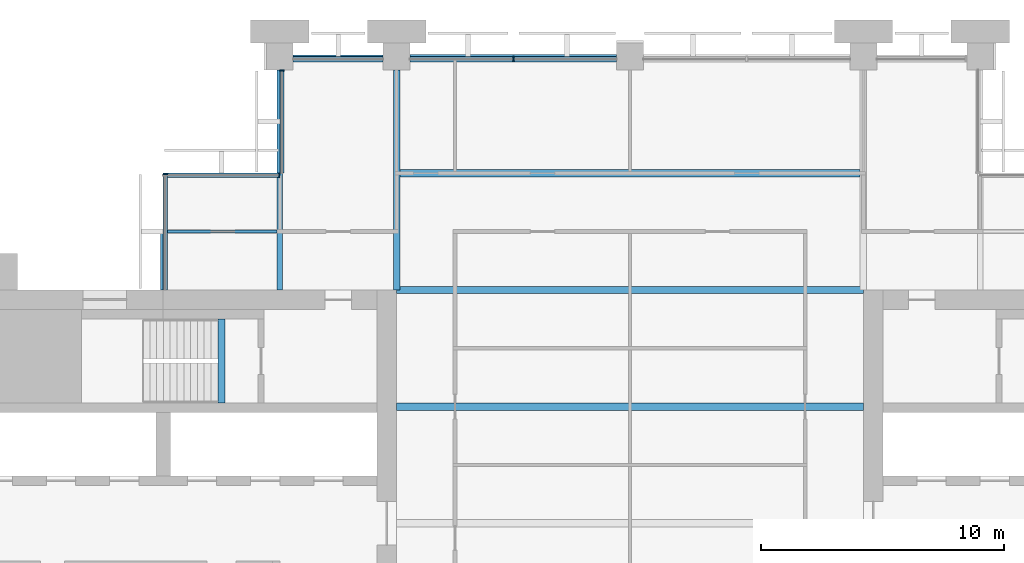
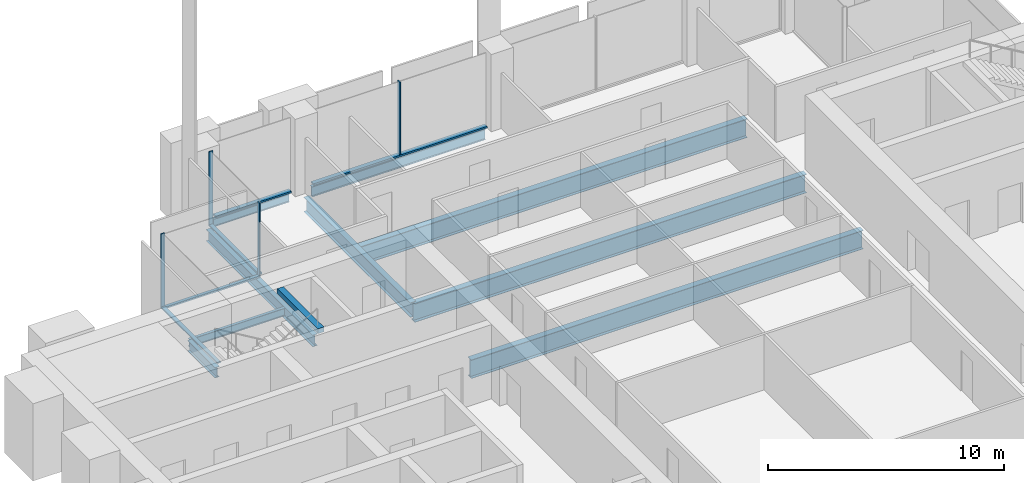
# One storey, part 5 of 13: 10 beams, 9 members, 4 elements without a shape of their own.
"""IFC4 building model written with IfcOpenShell, lengths in metres."""

from ifc_helpers import new_model, si_unit, direction, frame, origin, origin_2d, place, context, subcontext, project, spatial, rectangle, i_section, extrude, material, material_profile, profile_set, type_object, element, aggregate, save


model = new_model("IFC4")

# Units and contexts
model_context = context("Model", 3, precision=1e-05, world=origin(), true_north=direction((0.0, 1.0)))
body_context = subcontext(model_context, "Body", "Model", "MODEL_VIEW")
ifc_project = project(units=[si_unit("LENGTHUNIT", "METRE"), si_unit("AREAUNIT", "SQUARE_METRE"), si_unit("VOLUMEUNIT", "CUBIC_METRE"), si_unit("PLANEANGLEUNIT", "RADIAN"), si_unit("MASSUNIT", "GRAM", prefix="KILO")], contexts=[model_context])

# Site, building, storey
site_placement = place(None, origin())
site = spatial("IfcSite", under=ifc_project, at=site_placement, CompositionType="ELEMENT")
building_placement = place(site_placement, origin())
building = spatial("IfcBuilding", under=site, at=building_placement, Name="Baori Bourse Tower", CompositionType="ELEMENT")
storey_placement = place(building_placement, frame((0.0, 0.0, 201.199951171875)))
storey = spatial("IfcBuildingStorey", under=building, at=storey_placement, Name="L43", CompositionType="ELEMENT", Elevation=201.199951171875)

# Curtain wall, member
ifc_material_1 = material(Name="Pale anodised aluminium", Category="aluminium")
curtain_wall_type_1 = type_object("IfcCurtainWallType", Name="CW2 Curtain wall", PredefinedType="NOTDEFINED", material=ifc_material_1)
curtain_wall_1_placement = place(storey_placement, origin())
curtain_wall_1 = element("IfcCurtainWall", 1, at=curtain_wall_1_placement, inside=storey, type_object=curtain_wall_type_1, Name="Curtain wall CW2 L43 5", PredefinedType="NOTDEFINED")
ifc_material_2 = material(Name="Pale anodised aluminium", Category="aluminium")
ifc_material_profile_1 = material_profile(ifc_material_2, rectangle(XDim=0.179931640625, YDim=0.054931640625, at=origin_2d()), Name="Mullion 55x180")
ifc_profile_set_1 = profile_set([ifc_material_profile_1], Name="Pale anodised aluminium")
member_type_1 = type_object("IfcMemberType", Name="CW2 Curtain wall mullion", PredefinedType="MULLION", material=ifc_profile_set_1)
member_1_placement = place(storey_placement, frame((14.489990234375, 47.422607421875, 0.070068359375), z_axis=(0.0, 0.0, 1.0), x_axis=(1.0, 0.0, 0.0)))
member_1 = element("IfcMember", 2, at=member_1_placement, type_object=member_type_1, Name="Curtain wall CW2 mullion", PredefinedType="MULLION", context=body_context, shape_type="SweptSolid", body=[
    extrude(rectangle(XDim=0.179931640625, YDim=0.054931640625, at=origin_2d()), origin(), (0.0, 0.0, 1.0), 3.77001953125),
])

curtain_wall_2_placement = place(storey_placement, origin())
curtain_wall_2 = element("IfcCurtainWall", 3, at=curtain_wall_2_placement, inside=storey, type_object=curtain_wall_type_1, Name="Curtain wall CW2 L43 6", PredefinedType="NOTDEFINED")
member_2_placement = place(storey_placement, frame((14.37255859375, 43.110107421875, 0.070068359375), z_axis=(0.0, 0.0, 1.0), x_axis=(0.0, -1.0, 0.0)))
member_2 = element("IfcMember", 4, at=member_2_placement, type_object=member_type_1, Name="Curtain wall CW2 mullion", PredefinedType="MULLION", context=body_context, shape_type="SweptSolid", body=[
    extrude(rectangle(XDim=0.179931640625, YDim=0.054931640625, at=origin_2d()), origin(), (0.0, 0.0, 1.0), 3.77001953125),
])

curtain_wall_3_placement = place(storey_placement, origin())
curtain_wall_3 = element("IfcCurtainWall", 5, at=curtain_wall_3_placement, inside=storey, type_object=curtain_wall_type_1, Name="Curtain wall CW2 L43 7", PredefinedType="NOTDEFINED")
member_3_placement = place(storey_placement, frame((9.68994140625, 43.172607421875, 0.070068359375), z_axis=(0.0, 0.0, 1.0), x_axis=(1.0, 0.0, 0.0)))
member_3 = element("IfcMember", 6, at=member_3_placement, type_object=member_type_1, Name="Curtain wall CW2 mullion", PredefinedType="MULLION", context=body_context, shape_type="SweptSolid", body=[
    extrude(rectangle(XDim=0.179931640625, YDim=0.054931640625, at=origin_2d()), origin(), (0.0, 0.0, 1.0), 3.77001953125),
])

# Member
ifc_material_3 = material(Name="Pale anodised aluminium", Category="aluminium")
ifc_material_profile_2 = material_profile(ifc_material_3, rectangle(XDim=0.179931640625, YDim=0.070068359375, at=origin_2d()), Name="Transom 70x180")
ifc_profile_set_2 = profile_set([ifc_material_profile_2], Name="Pale anodised aluminium")
member_type_2 = type_object("IfcMemberType", Name="CW2 Curtain wall transom", PredefinedType="USERDEFINED", material=ifc_profile_set_2)
member_4_placement = place(storey_placement, frame((14.489990234375, 47.449951171875, 0.03515625), z_axis=(0.0, -1.0, 0.0), x_axis=(1.0, 0.0, 0.0)))
member_4 = element("IfcMember", 7, at=member_4_placement, type_object=member_type_2, Name="Curtain wall CW2 sill rail", ObjectType="TRANSOM", PredefinedType="USERDEFINED", context=body_context, shape_type="SweptSolid", body=[
    extrude(rectangle(XDim=0.179931640625, YDim=0.070068359375, at=origin_2d()), origin(), (0.0, 0.0, 1.0), 4.25),
])

aggregate(curtain_wall_1, [member_4, member_1])

member_5_placement = place(storey_placement, frame((14.39990234375, 43.110107421875, 0.03515625), z_axis=(-1.0, 0.0, 0.0), x_axis=(0.0, -1.0, 0.0)))
member_5 = element("IfcMember", 8, at=member_5_placement, type_object=member_type_2, Name="Curtain wall CW2 sill rail", ObjectType="TRANSOM", PredefinedType="USERDEFINED", context=body_context, shape_type="SweptSolid", body=[
    extrude(rectangle(XDim=0.179931640625, YDim=0.070068359375, at=origin_2d()), origin(), (0.0, 0.0, 1.0), 4.7998046875),
])

aggregate(curtain_wall_2, [member_5, member_2])

member_6_placement = place(storey_placement, frame((9.68994140625, 43.199951171875, 0.03515625), z_axis=(0.0, -1.0, 0.0), x_axis=(1.0, 0.0, 0.0)))
member_6 = element("IfcMember", 9, at=member_6_placement, type_object=member_type_2, Name="Curtain wall CW2 sill rail", ObjectType="TRANSOM", PredefinedType="USERDEFINED", context=body_context, shape_type="SweptSolid", body=[
    extrude(rectangle(XDim=0.179931640625, YDim=0.070068359375, at=origin_2d()), origin(), (0.0, 0.0, 1.0), 4.800048828125),
])

aggregate(curtain_wall_3, [member_6, member_3])

# Curtain wall, members
ifc_material_4 = material(Name="Pale anodised aluminium", Category="aluminium")
curtain_wall_type_2 = type_object("IfcCurtainWallType", Name="CW5 Curtain wall", PredefinedType="NOTDEFINED", material=ifc_material_4)
curtain_wall_4_placement = place(storey_placement, origin())
curtain_wall_4 = element("IfcCurtainWall", 10, at=curtain_wall_4_placement, inside=storey, type_object=curtain_wall_type_2, Name="Curtain wall CW5 L43 4", PredefinedType="NOTDEFINED")
ifc_material_5 = material(Name="Pale anodised aluminium", Category="aluminium")
ifc_material_profile_3 = material_profile(ifc_material_5, rectangle(XDim=0.219970703125, YDim=0.06494140625, at=origin_2d()), Name="Mullion 65x220")
ifc_profile_set_3 = profile_set([ifc_material_profile_3], Name="Pale anodised aluminium")
member_type_3 = type_object("IfcMemberType", Name="CW5 Curtain wall mullion", PredefinedType="MULLION", material=ifc_profile_set_3)
member_7_placement = place(storey_placement, frame((24.0, 47.889892578125, 0.0849609375), z_axis=(0.0, 0.0, 1.0), x_axis=(0.0, -1.0, 0.0)))
member_7 = element("IfcMember", 11, at=member_7_placement, type_object=member_type_3, Name="Curtain wall CW5 mullion", PredefinedType="MULLION", context=body_context, shape_type="SweptSolid", body=[
    extrude(rectangle(XDim=0.219970703125, YDim=0.06494140625, at=origin_2d()), origin(), (0.0, 0.0, 1.0), 3.755126953125),
])
ifc_material_6 = material(Name="Pale anodised aluminium", Category="aluminium")
ifc_material_profile_4 = material_profile(ifc_material_6, rectangle(XDim=0.219970703125, YDim=0.0849609375, at=origin_2d()), Name="Transom 85x220")
ifc_profile_set_4 = profile_set([ifc_material_profile_4], Name="Pale anodised aluminium")
member_type_4 = type_object("IfcMemberType", Name="CW5 Curtain wall transom", PredefinedType="USERDEFINED", material=ifc_profile_set_4)
member_8_placement = place(storey_placement, frame((28.25, 47.889892578125, 0.04248046875), z_axis=(-1.0, 0.0, 0.0), x_axis=(0.0, -1.0, 0.0)))
member_8 = element("IfcMember", 12, at=member_8_placement, type_object=member_type_4, Name="Curtain wall CW5 sill rail", ObjectType="TRANSOM", PredefinedType="USERDEFINED", context=body_context, shape_type="SweptSolid", body=[
    extrude(rectangle(XDim=0.219970703125, YDim=0.0849609375, at=origin_2d()), origin(), (0.0, 0.0, 1.0), 8.5),
])
member_9_placement = place(storey_placement, frame((18.64990234375, 47.889892578125, 0.04248046875), z_axis=(-1.0, 0.0, 0.0), x_axis=(0.0, -1.0, 0.0)))
member_9 = element("IfcMember", 13, at=member_9_placement, type_object=member_type_4, Name="Curtain wall CW5 sill rail", ObjectType="TRANSOM", PredefinedType="USERDEFINED", context=body_context, shape_type="SweptSolid", body=[
    extrude(rectangle(XDim=0.219970703125, YDim=0.0849609375, at=origin_2d()), origin(), (0.0, 0.0, 1.0), 3.699951171875),
])
aggregate(curtain_wall_4, [member_8, member_7, member_9])

# Beams
ifc_material_7 = material(Name="Steel A992 Gr 50", Category="steel")
ifc_material_profile_5 = material_profile(ifc_material_7, i_section(OverallWidth=0.21240234375, OverallDepth=0.54345703125, WebThickness=0.01318359375, FlangeThickness=0.021240234375, at=origin_2d()), Name="W21x83")
ifc_profile_set_5 = profile_set([ifc_material_profile_5], Name="Steel A992 Gr 50")
beam_type_1 = type_object("IfcBeamType", Name="Core bracket W21x83", PredefinedType="BEAM", material=ifc_profile_set_5)
beam_1_placement = place(storey_placement, frame((9.60009765625, 38.39990234375, -0.431640625), z_axis=(0.0, 1.0, 0.0), x_axis=(-1.0, 0.0, 0.0)))
element("IfcBeam", 14, at=beam_1_placement, inside=storey, type_object=beam_type_1, Name="Core bracket L43", PredefinedType="BEAM", context=body_context, shape_type="SweptSolid", body=[
    extrude(i_section(OverallWidth=0.21240234375, OverallDepth=0.54345703125, WebThickness=0.01318359375, FlangeThickness=0.021240234375, at=origin_2d()), origin(), (0.0, 0.0, 1.0), 2.329833984375),
])
ifc_material_8 = material(Name="Steel A992 Gr 50", Category="steel")
ifc_material_profile_6 = material_profile(ifc_material_8, i_section(OverallWidth=0.140380859375, OverallDepth=0.40380859375, WebThickness=0.007080078125, FlangeThickness=0.01123046875, at=origin_2d()), Name="W16x31")
ifc_profile_set_6 = profile_set([ifc_material_profile_6], Name="Steel A992 Gr 50")
beam_type_2 = type_object("IfcBeamType", Name="Edge beam W16x31", PredefinedType="BEAM", material=ifc_profile_set_6)
beam_2_placement = place(storey_placement, frame((14.949951171875, 48.0, -0.36181640625), z_axis=(1.0, 0.0, 0.0), x_axis=(0.0, 1.0, 0.0)))
element("IfcBeam", 15, at=beam_2_placement, inside=storey, type_object=beam_type_2, Name="Edge beam L43", PredefinedType="BEAM", context=body_context, shape_type="SweptSolid", body=[
    extrude(i_section(OverallWidth=0.140380859375, OverallDepth=0.40380859375, WebThickness=0.007080078125, FlangeThickness=0.01123046875, at=origin_2d()), origin(), (0.0, 0.0, 1.0), 3.699951171875),
])
ifc_material_9 = material(Name="Steel A992 Gr 50", Category="steel")
ifc_material_profile_7 = material_profile(ifc_material_9, i_section(OverallWidth=0.1650390625, OverallDepth=0.52587890625, WebThickness=0.0087890625, FlangeThickness=0.011474609375, at=origin_2d()), Name="W21x44")
ifc_profile_set_7 = profile_set([ifc_material_profile_7], Name="Steel A992 Gr 50")
beam_type_3 = type_object("IfcBeamType", Name="Edge beam W21x44", PredefinedType="BEAM", material=ifc_profile_set_7)
beam_3_placement = place(storey_placement, frame((19.75, 48.0, -0.4228515625), z_axis=(1.0, 0.0, 0.0), x_axis=(0.0, 1.0, 0.0)))
element("IfcBeam", 16, at=beam_3_placement, inside=storey, type_object=beam_type_3, Name="Edge beam L43", PredefinedType="BEAM", context=body_context, shape_type="SweptSolid", body=[
    extrude(i_section(OverallWidth=0.1650390625, OverallDepth=0.52587890625, WebThickness=0.0087890625, FlangeThickness=0.011474609375, at=origin_2d()), origin(), (0.0, 0.0, 1.0), 8.5),
])
ifc_material_10 = material(Name="Steel A992 Gr 50", Category="steel")
ifc_material_profile_8 = material_profile(ifc_material_10, i_section(OverallWidth=0.227783203125, OverallDepth=0.60205078125, WebThickness=0.010498046875, FlangeThickness=0.014892578125, at=origin_2d()), Name="W24x68")
ifc_profile_set_8 = profile_set([ifc_material_profile_8], Name="Steel A992 Gr 50")
beam_type_4 = type_object("IfcBeamType", Name="Floor beam W24x68", PredefinedType="BEAM", material=ifc_profile_set_8)
beam_4_placement = place(storey_placement, frame((14.39990234375, 38.39990234375, -0.4609375), z_axis=(0.0, 1.0, 0.0), x_axis=(-1.0, 0.0, 0.0)))
element("IfcBeam", 17, at=beam_4_placement, inside=storey, type_object=beam_type_4, Name="Floor beam L43", PredefinedType="BEAM", context=body_context, shape_type="SweptSolid", body=[
    extrude(i_section(OverallWidth=0.227783203125, OverallDepth=0.60205078125, WebThickness=0.010498046875, FlangeThickness=0.014892578125, at=origin_2d()), origin(), (0.0, 0.0, 1.0), 9.050048828125),
])
ifc_material_11 = material(Name="Steel A992 Gr 50", Category="steel")
ifc_material_profile_9 = material_profile(ifc_material_11, i_section(OverallWidth=0.2998046875, OverallDepth=0.97021484375, WebThickness=0.01611328125, FlangeThickness=0.02099609375, at=origin_2d()), Name="W40x149")
ifc_profile_set_9 = profile_set([ifc_material_profile_9], Name="Steel A992 Gr 50")
beam_type_5 = type_object("IfcBeamType", Name="Floor beam W40x149", PredefinedType="BEAM", material=ifc_profile_set_9)
for number, where, z_axis, x_axis, name in (
    (18, (19.199951171875, 33.60009765625, -0.64501953125), (1.0, 0.0, 0.0), (0.0, 1.0, 0.0), "Floor beam L43"),
    (19, (19.199951171875, 38.39990234375, -0.64501953125), (1.0, 0.0, 0.0), (0.0, 1.0, 0.0), "Floor beam L43"),
):
    element("IfcBeam", number, at=place(storey_placement, frame(where, z_axis=z_axis, x_axis=x_axis)), inside=storey, type_object=beam_type_5, Name=name, PredefinedType="BEAM", context=body_context, shape_type="SweptSolid", body=[
        extrude(i_section(OverallWidth=0.2998046875, OverallDepth=0.97021484375, WebThickness=0.01611328125, FlangeThickness=0.02099609375, at=origin_2d()), origin(), (0.0, 0.0, 1.0), 19.199951171875),
    ])
beam_5_placement = place(storey_placement, frame((19.333251953125, 43.199951171875, -0.64501953125), z_axis=(1.0, 0.0, 0.0), x_axis=(0.0, 1.0, 0.0)))
element("IfcBeam", 20, at=beam_5_placement, inside=storey, type_object=beam_type_5, Name="Floor beam L43", PredefinedType="BEAM", context=body_context, shape_type="SweptSolid", body=[
    extrude(i_section(OverallWidth=0.2998046875, OverallDepth=0.97021484375, WebThickness=0.01611328125, FlangeThickness=0.02099609375, at=origin_2d()), origin(), (0.0, 0.0, 1.0), 18.933349609375),
])
ifc_material_12 = material(Name="Steel A992 Gr 50", Category="steel")
ifc_material_profile_10 = material_profile(ifc_material_12, i_section(OverallWidth=0.2666015625, OverallDepth=0.7568359375, WebThickness=0.013916015625, FlangeThickness=0.019287109375, at=origin_2d()), Name="W30x108")
ifc_profile_set_10 = profile_set([ifc_material_profile_10], Name="Steel A992 Gr 50")
beam_type_6 = type_object("IfcBeamType", Name="Girder W30x108", PredefinedType="BEAM", material=ifc_profile_set_10)
beam_6_placement = place(storey_placement, frame((19.199951171875, 38.39990234375, -0.538330078125), z_axis=(0.0, 1.0, 0.0), x_axis=(-1.0, 0.0, 0.0)))
element("IfcBeam", 21, at=beam_6_placement, inside=storey, type_object=beam_type_6, Name="Girder L43", PredefinedType="BEAM", context=body_context, shape_type="SweptSolid", body=[
    extrude(i_section(OverallWidth=0.2666015625, OverallDepth=0.7568359375, WebThickness=0.013916015625, FlangeThickness=0.019287109375, at=origin_2d()), origin(), (0.0, 0.0, 1.0), 9.050048828125),
])
ifc_material_13 = material(Name="Concrete f'c 50 MPa", Category="concrete")
ifc_material_profile_11 = material_profile(ifc_material_13, rectangle(XDim=0.300048828125, YDim=0.25, at=origin_2d()), Name="RC 300x250")
ifc_profile_set_11 = profile_set([ifc_material_profile_11], Name="Concrete f'c 50 MPa")
beam_type_7 = type_object("IfcBeamType", Name="Stair nib beam RC 300x250", PredefinedType="BEAM", material=ifc_profile_set_11)
beam_7_placement = place(storey_placement, frame((12.0, 33.75, 3.715087890625), z_axis=(0.0, 1.0, 0.0), x_axis=(-1.0, 0.0, 0.0)))
element("IfcBeam", 22, at=beam_7_placement, inside=storey, type_object=beam_type_7, Name="Stair WB nib beam L44", PredefinedType="BEAM", context=body_context, shape_type="SweptSolid", body=[
    extrude(rectangle(XDim=0.300048828125, YDim=0.25, at=origin_2d()), origin(), (0.0, 0.0, 1.0), 3.449951171875),
])
ifc_material_14 = material(Name="Steel A992 Gr 50", Category="steel")
ifc_material_profile_12 = material_profile(ifc_material_14, i_section(OverallWidth=0.140380859375, OverallDepth=0.40380859375, WebThickness=0.007080078125, FlangeThickness=0.01123046875, at=origin_2d()), Name="W16x31")
ifc_profile_set_12 = profile_set([ifc_material_profile_12], Name="Steel A992 Gr 50")
beam_type_8 = type_object("IfcBeamType", Name="Trimmer beam W16x31", PredefinedType="BEAM", material=ifc_profile_set_12)
beam_8_placement = place(storey_placement, frame((9.60009765625, 40.800048828125, -0.36181640625), z_axis=(1.0, 0.0, 0.0), x_axis=(0.0, 1.0, 0.0)))
element("IfcBeam", 23, at=beam_8_placement, inside=storey, type_object=beam_type_8, Name="Trimmer beam L43", PredefinedType="BEAM", context=body_context, shape_type="SweptSolid", body=[
    extrude(i_section(OverallWidth=0.140380859375, OverallDepth=0.40380859375, WebThickness=0.007080078125, FlangeThickness=0.01123046875, at=origin_2d()), origin(), (0.0, 0.0, 1.0), 4.68603515625),
])

save(model, "model.ifc")
